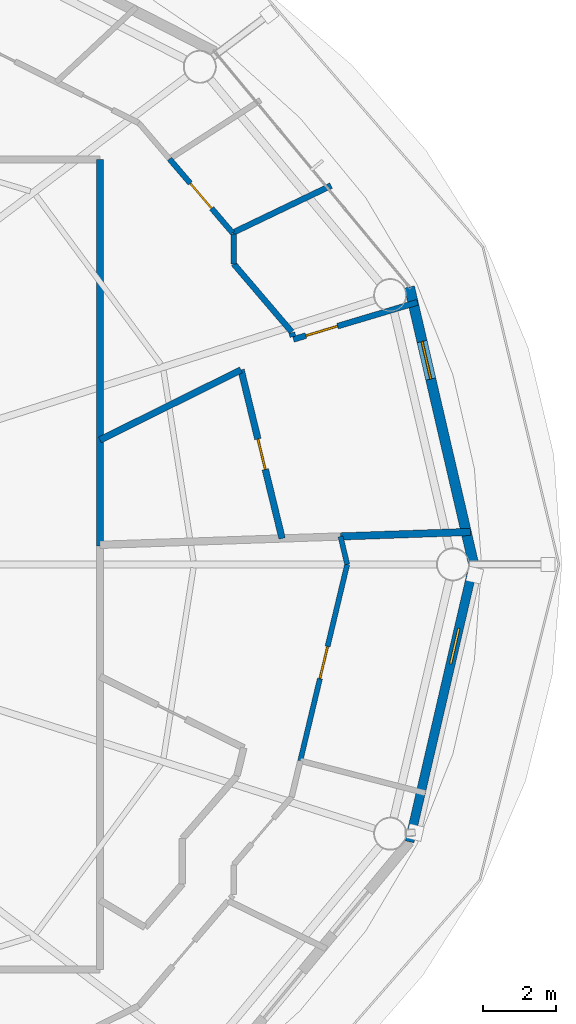
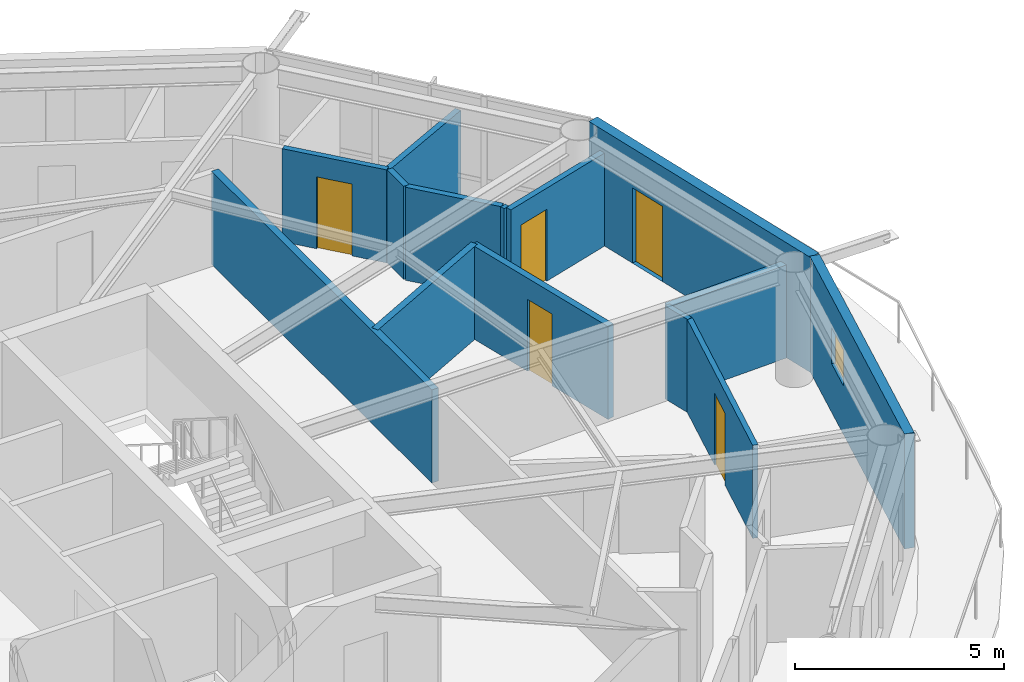
# One storey, part 18 of 23: 14 walls, 5 doors, 1 window, 6 openings.
"""IFC4 building model written with IfcOpenShell, lengths in metres."""

import ifcopenshell
import ifcopenshell.guid

model = None  # the IFC model being written
_history = None  # IfcOwnerHistory: only IFC2X3 demands one
_inside = {}  # id of a spatial element -> (the spatial element, [elements in it])
_under = {}  # id of a project, library or spatial element -> (it, [spatial elements below it])
_declared = {}  # id of a project -> (the project, [libraries it declares])
_typed = {}  # id of a type object -> (the type object, [elements of that type])
_made_of = {}  # id of a material, layer set ... -> (it, [elements and type objects made of it])


def new_model(schema):
    """Start an empty IFC model of exactly this schema.

    Asked for "IFC4X3", IfcOpenShell would pick the latest addendum, in which some entities
    have other attributes; the version numbers below select the first issue.
    IFC2X3 requires an IfcOwnerHistory on every rooted entity: one is made here for all.
    """
    global model, _history
    if schema == "IFC4X3":
        model = ifcopenshell.file(schema_version=(4, 3, 0, 0))
    else:
        model = ifcopenshell.file(schema=schema)
    _inside.clear()
    _under.clear()
    _declared.clear()
    _typed.clear()
    _made_of.clear()
    _history = None
    if model.schema == "IFC2X3":
        org = make("IfcOrganization", Name="unknown")
        user = make(
            "IfcPersonAndOrganization",
            ThePerson=make("IfcPerson", FamilyName="unknown"),
            TheOrganization=org,
        )
        app = make(
            "IfcApplication",
            ApplicationDeveloper=org,
            Version="unknown",
            ApplicationFullName="unknown",
            ApplicationIdentifier="unknown",
        )
        _history = make(
            "IfcOwnerHistory",
            OwningUser=user,
            OwningApplication=app,
            ChangeAction="ADDED",
            CreationDate=0,
        )
    return model


def make(cls, **values):
    """One entity of the class cls with the attributes given. An attribute that is None is left unset."""
    return model.create_entity(
        cls, **{name: value for name, value in values.items() if value is not None}
    )


def rooted(cls, **values):
    """An entity with a GlobalId (a new one), such as an element, a storey or a relation."""
    return make(cls, GlobalId=ifcopenshell.guid.new(), OwnerHistory=_history, **values)


def si_unit(unit_type, name, prefix=None):
    """IfcSIUnit, for example si_unit("LENGTHUNIT", "METRE", prefix="MILLI")."""
    return make("IfcSIUnit", UnitType=unit_type, Prefix=prefix, Name=name)


def assignment(units):
    """IfcUnitAssignment: the units of a project."""
    return None if units is None else make("IfcUnitAssignment", Units=units)


def point(xyz):
    """IfcCartesianPoint."""
    return None if xyz is None else make("IfcCartesianPoint", Coordinates=xyz)


def direction(xyz):
    """IfcDirection."""
    return None if xyz is None else make("IfcDirection", DirectionRatios=xyz)


def frame(location, z_axis=None, x_axis=None):
    """IfcAxis2Placement3D, a coordinate frame: its origin and axes. An axis left out is left unset."""
    return make(
        "IfcAxis2Placement3D",
        Location=point(location),
        Axis=direction(z_axis),
        RefDirection=direction(x_axis),
    )


def frame_2d(location, x_axis=None):
    """IfcAxis2Placement2D, a coordinate frame in the plane: its origin and x axis."""
    return make(
        "IfcAxis2Placement2D", Location=point(location), RefDirection=direction(x_axis)
    )


def origin():
    """The frame at (0, 0, 0) with its axes left unset."""
    return frame((0.0, 0.0, 0.0))


def place(relative_to, where):
    """IfcLocalPlacement: puts the frame where relative to a parent placement (None: the world)."""
    return make(
        "IfcLocalPlacement", PlacementRelTo=relative_to, RelativePlacement=where
    )


def context(
    kind, dimensions, precision=None, world=None, true_north=None, identifier=None
):
    """IfcGeometricRepresentationContext, for example the 3D "Model" context."""
    return make(
        "IfcGeometricRepresentationContext",
        ContextIdentifier=identifier,
        ContextType=kind,
        CoordinateSpaceDimension=dimensions,
        Precision=precision,
        WorldCoordinateSystem=world,
        TrueNorth=true_north,
    )


def subcontext(parent, identifier, kind, view, scale=None):
    """IfcGeometricRepresentationSubContext, for example "Body" below "Model"."""
    return make(
        "IfcGeometricRepresentationSubContext",
        ContextIdentifier=identifier,
        ContextType=kind,
        ParentContext=parent,
        TargetScale=scale,
        TargetView=view,
    )


def project(units=None, contexts=None):
    """IfcProject with its units and contexts."""
    return rooted(
        "IfcProject",
        Name="project",
        RepresentationContexts=contexts,
        UnitsInContext=assignment(units),
    )


def spatial(cls, under=None, at=None, **own):
    """A site, building, storey or space (cls), placed at a placement, below another one or the project."""
    s = rooted(cls, ObjectPlacement=at, **own)
    if under is not None:
        _under.setdefault(under.id(), (under, []))[1].append(s)
    return s


def profile(cls, at=None, kind="AREA", **sizes):
    """A parametric profile (cls). Its sizes go by their IFC names, for example OverallWidth=200.0."""
    return make(cls, ProfileType=kind, Position=at, **sizes)


def rectangle(**sizes):
    """IfcRectangleProfileDef."""
    return profile("IfcRectangleProfileDef", **sizes)


def extrude(swept, where, along, depth):
    """IfcExtrudedAreaSolid: the profile swept, set in the frame where, extruded along a direction by depth."""
    return make(
        "IfcExtrudedAreaSolid",
        SweptArea=swept,
        Position=where,
        ExtrudedDirection=direction(along),
        Depth=depth,
    )


def shape(context_of_items, identifier, shape_type, items):
    """IfcShapeRepresentation: the items that make up one representation, for example the "Body"."""
    return make(
        "IfcShapeRepresentation",
        ContextOfItems=context_of_items,
        RepresentationIdentifier=identifier,
        RepresentationType=shape_type,
        Items=items,
    )


def material(Name=None, Category=None):
    """IfcMaterial."""
    return make("IfcMaterial", Name=Name, Category=Category)


def layer(
    of_material, thickness, ventilated=None, Name=None, Category=None, Priority=None
):
    """IfcMaterialLayer: one layer of a wall or slab, of a material (None: an air gap)."""
    return make(
        "IfcMaterialLayer",
        Material=of_material,
        LayerThickness=thickness,
        IsVentilated=ventilated,
        Name=Name,
        Category=Category,
        Priority=Priority,
    )


def layer_set(layers, Name=None):
    """IfcMaterialLayerSet."""
    return make("IfcMaterialLayerSet", MaterialLayers=layers, LayerSetName=Name)


def made_of(thing, what):
    """Note that an element or type object is made of a material, layer set ...; save() writes the relation."""
    if what is not None:
        _made_of.setdefault(what.id(), (what, []))[1].append(thing)
    return thing


def type_object(cls, material=None, **own):
    """A type object (cls), such as IfcWallType, which elements share."""
    return made_of(rooted(cls, **own), material)


def element(
    cls,
    number,
    at=None,
    inside=None,
    cuts=None,
    type_object=None,
    material=None,
    context=None,
    identifier="Body",
    shape_type=None,
    held_by="IfcProductDefinitionShape",
    body=None,
    shapes=None,
    **own,
):
    """One element of the class cls, such as IfcWall. Its Tag is "e" and its number.

    at: its placement. inside: the storey or other place that contains it. cuts: it is an
    opening in that element (IfcRelVoidsElement). A single representation is given by context,
    identifier, shape_type and body (its items); several are given by shapes. held_by: the class
    of the entity that holds the representations. save() writes the other relations.
    """
    e = rooted(cls, Tag="e%d" % number, ObjectPlacement=at, **own)
    if body is not None:
        shapes = [shape(context, identifier, shape_type, body)]
    if shapes is not None:
        e.Representation = make(held_by, Representations=shapes)
    if inside is not None:
        _inside.setdefault(inside.id(), (inside, []))[1].append(e)
    if cuts is not None:
        rooted(
            "IfcRelVoidsElement", RelatingBuildingElement=cuts, RelatedOpeningElement=e
        )
    if type_object is not None:
        _typed.setdefault(type_object.id(), (type_object, []))[1].append(e)
    return made_of(e, material)


def fill(opening, filler):
    """IfcRelFillsElement: the door or window that sits in an opening."""
    return rooted(
        "IfcRelFillsElement",
        RelatingOpeningElement=opening,
        RelatedBuildingElement=filler,
    )


def aggregate(whole, parts):
    """IfcRelAggregates: a whole, such as a stair, and the parts it consists of."""
    return rooted("IfcRelAggregates", RelatingObject=whole, RelatedObjects=parts)


def save(model, path):
    """Write the relations noted so far, then the file.

    IfcRelAggregates (storeys below a building ...), IfcRelContainedInSpatialStructure (elements
    in a storey), IfcRelDefinesByType, IfcRelAssociatesMaterial and IfcRelDeclares: one each for
    every whole, place, type object, material and project.
    """
    for whole, parts in _under.values():
        aggregate(whole, parts)
    for where, things in _inside.values():
        rooted(
            "IfcRelContainedInSpatialStructure",
            RelatedElements=things,
            RelatingStructure=where,
        )
    for kind, things in _typed.values():
        rooted("IfcRelDefinesByType", RelatedObjects=things, RelatingType=kind)
    for what, things in _made_of.values():
        rooted("IfcRelAssociatesMaterial", RelatedObjects=things, RelatingMaterial=what)
    for by, libraries in _declared.values():
        rooted("IfcRelDeclares", RelatingContext=by, RelatedDefinitions=libraries)
    model.write(path)


model = new_model("IFC4")

# Units and contexts
model_context = context("Model", 3, precision=1e-05, world=origin(), true_north=direction((0.0, 1.0)))
body_context = subcontext(model_context, "Body", "Model", "MODEL_VIEW")
ifc_project = project(units=[si_unit("LENGTHUNIT", "METRE"), si_unit("AREAUNIT", "SQUARE_METRE"), si_unit("VOLUMEUNIT", "CUBIC_METRE"), si_unit("PLANEANGLEUNIT", "RADIAN"), si_unit("MASSUNIT", "GRAM", prefix="KILO")], contexts=[model_context])

# Site, building, storey
site_placement = place(None, origin())
site = spatial("IfcSite", under=ifc_project, at=site_placement, CompositionType="ELEMENT")
building_placement = place(site_placement, origin())
building = spatial("IfcBuilding", under=site, at=building_placement, Name="Sarneth Arch Tower", CompositionType="ELEMENT")
storey_placement = place(building_placement, frame((0.0, 0.0, 231.60009765625)))
storey = spatial("IfcBuildingStorey", under=building, at=storey_placement, Name="L59", CompositionType="ELEMENT", Elevation=231.60009765625)

# Wall
ifc_material_1 = material(Name="Double steel-stud corridor fire wall", Category="steel")
ifc_layer_1 = layer(ifc_material_1, 0.18994140625)
ifc_layer_set_1 = layer_set([ifc_layer_1], Name="Double steel-stud corridor fire wall")
wall_type_1 = type_object("IfcWallType", Name="WALL-CORR-190", PredefinedType="PARTITIONING", material=ifc_layer_set_1)
wall_1_placement = place(storey_placement, frame((63.25, 53.050048828125, 0.0), z_axis=(0.0, 0.0, 1.0), x_axis=(0.0, -1.0, 0.0)))
element("IfcWall", 1, at=wall_1_placement, inside=storey, type_object=wall_type_1, Name="L59 Interior partition W-L59-TP-002", PredefinedType="PARTITIONING", context=body_context, shape_type="SweptSolid", body=[
    extrude(rectangle(XDim=10.549560546875, YDim=0.18994140625, at=frame_2d((5.27490234375, 0.0))), origin(), (0.0, 0.0, 1.0), 2.719970703125),
])

# Wall, opening, window
ifc_material_2 = material(Name="Extruded terracotta rainscreen on Concrete C40/50 backing", Category="masonry")
ifc_layer_2 = layer(ifc_material_2, 0.25)
ifc_layer_set_2 = layer_set([ifc_layer_2], Name="Extruded terracotta rainscreen on Concrete C40/50 backing")
wall_type_2 = type_object("IfcWallType", Name="WALL-EXT-SPAND-250", PredefinedType="SOLIDWALL", material=ifc_layer_set_2)
wall_2_placement = place(storey_placement, frame((71.69384765625, 34.430419921875, 0.0), z_axis=(0.0, 0.0, 1.0), x_axis=(0.225635078214, 0.974211892495, 0.0)))
wall_2 = element("IfcWall", 2, at=wall_2_placement, inside=storey, type_object=wall_type_2, Name="L59 Terracotta perimeter wall 16", PredefinedType="SOLIDWALL", context=body_context, shape_type="SweptSolid", body=[
    extrude(rectangle(XDim=7.77001953125, YDim=0.25, at=frame_2d((3.885009765625, 0.0))), origin(), (0.0, 0.0, 1.0), 3.35986328125),
])
opening_1_placement = place(wall_2_placement, frame((4.977294921875, 0.0, 1.419921875)))
opening_1 = element("IfcOpeningElement", 3, at=opening_1_placement, cuts=wall_2, Name="Opening W-14", PredefinedType="OPENING", context=body_context, shape_type="SweptSolid", body=[
    extrude(rectangle(XDim=1.0, YDim=1.050048828125, at=frame_2d((0.5, 0.52490234375))), frame((0.0, 0.135009765625, 0.0), z_axis=(0.0, -1.0, 0.0), x_axis=(1.0, 0.0, 0.0)), (0.0, 0.0, 1.0), 0.27001953125),
])
ifc_material_3 = material(Name="Thermally broken Aluminium 6063-T6 and low-e laminated IGU", Category="aluminium")
window_type = type_object("IfcWindowType", Name="WIN-TWR-1000x1050", PartitioningType="SINGLE_PANEL", PredefinedType="WINDOW", material=ifc_material_3)
window_placement = place(opening_1_placement, origin())
window = element("IfcWindow", 4, at=window_placement, inside=storey, type_object=window_type, Name="L59 Dwelling bedroom window 06", OverallHeight=1.050048828125, OverallWidth=1.0, PartitioningType="SINGLE_PANEL", PredefinedType="WINDOW", context=body_context, shape_type="SweptSolid", body=[
    extrude(rectangle(XDim=1.0, YDim=1.050048828125, at=frame_2d((0.5, 0.52490234375))), frame((0.0, 0.030029296875, 0.0), z_axis=(0.0, -1.0, 0.0), x_axis=(1.0, 0.0, 0.0)), (0.0, 0.0, 1.0), 0.06005859375),
])
fill(opening_1, window)

# Wall, opening, door
ifc_material_4 = material(Name="Extruded terracotta rainscreen on Concrete C40/50 backing", Category="masonry")
ifc_layer_3 = layer(ifc_material_4, 0.280029296875)
ifc_layer_set_3 = layer_set([ifc_layer_3], Name="Extruded terracotta rainscreen on Concrete C40/50 backing")
wall_type_3 = type_object("IfcWallType", Name="WALL-EXT-TERRA-280", PredefinedType="SOLIDWALL", material=ifc_layer_set_3)
wall_3_placement = place(storey_placement, frame((73.447021484375, 42.0, 0.0), z_axis=(0.0, 0.0, 1.0), x_axis=(-0.225635078214, 0.974211892495, 0.0)))
wall_3 = element("IfcWall", 5, at=wall_3_placement, inside=storey, type_object=wall_type_3, Name="L59 Terracotta perimeter wall 01", PredefinedType="SOLIDWALL", context=body_context, shape_type="SweptSolid", body=[
    extrude(rectangle(XDim=7.77001953125, YDim=0.280029296875, at=frame_2d((3.885009765625, 0.0))), origin(), (0.0, 0.0, 1.0), 3.35986328125),
])
opening_2_placement = place(wall_3_placement, frame((5.192138671875, 0.0, 0.0)))
opening_2 = element("IfcOpeningElement", 6, at=opening_2_placement, cuts=wall_3, Name="Opening BD-4", PredefinedType="OPENING", context=body_context, shape_type="SweptSolid", body=[
    extrude(rectangle(XDim=1.050048828125, YDim=2.199951171875, at=frame_2d((0.52490234375, 1.10009765625))), frame((0.0, 0.14990234375, 0.0), z_axis=(0.0, -1.0, 0.0), x_axis=(1.0, 0.0, 0.0)), (0.0, 0.0, 1.0), 0.300048828125),
])
ifc_material_5 = material(Name="Thermally broken Aluminium 6063-T6 and laminated safety glass", Category="aluminium")
door_type_1 = type_object("IfcDoorType", Name="DR-BALC-GLZ-1050", OperationType="SINGLE_SWING_RIGHT", PredefinedType="DOOR", material=ifc_material_5)
door_1_placement = place(opening_2_placement, origin())
door_1 = element("IfcDoor", 7, at=door_1_placement, inside=storey, type_object=door_type_1, Name="L59 Balcony glazed door 01", OperationType="SINGLE_SWING_RIGHT", OverallHeight=2.199951171875, OverallWidth=1.050048828125, PredefinedType="DOOR", context=body_context, shape_type="SweptSolid", body=[
    extrude(rectangle(XDim=1.050048828125, YDim=2.199951171875, at=frame_2d((0.52490234375, 1.10009765625))), frame((0.0, 0.02490234375, 0.0), z_axis=(0.0, -1.0, 0.0), x_axis=(1.0, 0.0, 0.0)), (0.0, 0.0, 1.0), 0.050048828125),
])
fill(opening_2, door_1)

ifc_material_6 = material(Name="Apartment internal stud partition", Category="gypsum")
ifc_layer_4 = layer(ifc_material_6, 0.139892578125)
ifc_layer_set_4 = layer_set([ifc_layer_4], Name="Apartment internal stud partition")
wall_type_4 = type_object("IfcWallType", Name="WALL-PART-140", PredefinedType="PARTITIONING", material=ifc_layer_set_4)
wall_4_placement = place(storey_placement, frame((68.716796875, 36.642333984375, 0.0), z_axis=(0.0, 0.0, 1.0), x_axis=(0.23229157949, 0.972646195745, 0.0)))
wall_4 = element("IfcWall", 8, at=wall_4_placement, inside=storey, type_object=wall_type_4, Name="L59 Interior partition W-L59-TP-107", PredefinedType="PARTITIONING", context=body_context, shape_type="SweptSolid", body=[
    extrude(rectangle(XDim=5.50830078125, YDim=0.139892578125, at=frame_2d((2.754150390625, 0.0))), origin(), (0.0, 0.0, 1.0), 2.719970703125),
])
opening_3_placement = place(wall_4_placement, frame((2.30419921875, 0.0, 0.0)))
opening_3 = element("IfcOpeningElement", 9, at=opening_3_placement, cuts=wall_4, Name="Opening ID-01", PredefinedType="OPENING", context=body_context, shape_type="SweptSolid", body=[
    extrude(rectangle(XDim=0.89990234375, YDim=2.10009765625, at=frame_2d((0.449951171875, 1.050048828125))), frame((0.0, 0.079833984375, 0.0), z_axis=(0.0, -1.0, 0.0), x_axis=(1.0, 0.0, 0.0)), (0.0, 0.0, 1.0), 0.159912109375),
])
ifc_material_7 = material(Name="Engineered hardwood flush door", Category="wood")
door_type_2 = type_object("IfcDoorType", Name="DR-INT-900", OperationType="SINGLE_SWING_LEFT", PredefinedType="DOOR", material=ifc_material_7)
door_2_placement = place(opening_3_placement, origin())
door_2 = element("IfcDoor", 10, at=door_2_placement, inside=storey, type_object=door_type_2, Name="L59 Interior door DR-L59-U6-BED2", OperationType="SINGLE_SWING_LEFT", OverallHeight=2.10009765625, OverallWidth=0.89990234375, PredefinedType="DOOR", context=body_context, shape_type="SweptSolid", body=[
    extrude(rectangle(XDim=0.89990234375, YDim=2.10009765625, at=frame_2d((0.449951171875, 1.050048828125))), frame((0.0, 0.02490234375, 0.0), z_axis=(0.0, -1.0, 0.0), x_axis=(1.0, 0.0, 0.0)), (0.0, 0.0, 1.0), 0.050048828125),
])
fill(opening_3, door_2)

# Wall
wall_5_placement = place(storey_placement, frame((69.996337890625, 42.0, 0.0), z_axis=(0.0, 0.0, 1.0), x_axis=(-0.232252672351, 0.972655486894, 0.0)))
element("IfcWall", 11, at=wall_5_placement, inside=storey, type_object=wall_type_4, Name="L59 Interior partition W-L59-TP-108", PredefinedType="PARTITIONING", context=body_context, shape_type="SweptSolid", body=[
    extrude(rectangle(XDim=0.783203125, YDim=0.139892578125, at=frame_2d((0.3916015625, 0.0))), origin(), (0.0, 0.0, 1.0), 2.719970703125),
])

# Wall, opening, door
ifc_material_8 = material(Name="Acoustic gypsum stud partition", Category="gypsum")
ifc_layer_5 = layer(ifc_material_8, 0.14990234375)
ifc_layer_set_5 = layer_set([ifc_layer_5], Name="Acoustic gypsum stud partition")
wall_type_5 = type_object("IfcWallType", Name="WALL-PART-150", PredefinedType="PARTITIONING", material=ifc_layer_set_5)
wall_6_placement = place(storey_placement, frame((66.867919921875, 51.044677734375, 0.0), z_axis=(0.0, 0.0, 1.0), x_axis=(-0.648999908332, 0.760788485051, 0.0)))
wall_6 = element("IfcWall", 12, at=wall_6_placement, inside=storey, type_object=wall_type_5, Name="L59 Interior partition W-L59-TP-021", PredefinedType="PARTITIONING", context=body_context, shape_type="SweptSolid", body=[
    extrude(rectangle(XDim=2.6513671875, YDim=0.14990234375, at=frame_2d((1.32568359375, 0.0))), origin(), (0.0, 0.0, 1.0), 2.719970703125),
])
opening_4_placement = place(wall_6_placement, frame((0.87548828125, 0.0, 0.0)))
opening_4 = element("IfcOpeningElement", 13, at=opening_4_placement, cuts=wall_6, Name="Opening ID-01", PredefinedType="OPENING", context=body_context, shape_type="SweptSolid", body=[
    extrude(rectangle(XDim=0.89990234375, YDim=2.10009765625, at=frame_2d((0.449951171875, 1.050048828125))), frame((0.0, 0.0849609375, 0.0), z_axis=(0.0, -1.0, 0.0), x_axis=(1.0, 0.0, 0.0)), (0.0, 0.0, 1.0), 0.169921875),
])
door_3_placement = place(opening_4_placement, origin())
door_3 = element("IfcDoor", 14, at=door_3_placement, inside=storey, type_object=door_type_2, Name="L59 Interior door DR-L59-U1-STD", OperationType="SINGLE_SWING_LEFT", OverallHeight=2.10009765625, OverallWidth=0.89990234375, PredefinedType="DOOR", context=body_context, shape_type="SweptSolid", body=[
    extrude(rectangle(XDim=0.89990234375, YDim=2.10009765625, at=frame_2d((0.449951171875, 1.050048828125))), frame((0.0, 0.02490234375, 0.0), z_axis=(0.0, -1.0, 0.0), x_axis=(1.0, 0.0, 0.0)), (0.0, 0.0, 1.0), 0.050048828125),
])
fill(opening_4, door_3)

ifc_material_9 = material(Name="Kitchen wet service chase wall", Category="gypsum")
ifc_layer_6 = layer(ifc_material_9, 0.159912109375)
ifc_layer_set_6 = layer_set([ifc_layer_6], Name="Kitchen wet service chase wall")
wall_type_6 = type_object("IfcWallType", Name="WALL-PLUMB-160", PredefinedType="PLUMBINGWALL", material=ifc_layer_set_6)
wall_7_placement = place(storey_placement, frame((71.913818359375, 49.150634765625, 0.0), z_axis=(0.0, 0.0, 1.0), x_axis=(-0.958092232413, -0.286459899792, 0.0)))
wall_7 = element("IfcWall", 15, at=wall_7_placement, inside=storey, type_object=wall_type_6, Name="L59 Interior partition W-L59-TP-022", PredefinedType="PLUMBINGWALL", context=body_context, shape_type="SweptSolid", body=[
    extrude(rectangle(XDim=3.53173828125, YDim=0.159912109375, at=frame_2d((1.765869140625, 0.0))), origin(), (0.0, 0.0, 1.0), 2.719970703125),
])
opening_5_placement = place(wall_7_placement, frame((2.27587890625, 0.0, 0.0)))
opening_5 = element("IfcOpeningElement", 16, at=opening_5_placement, cuts=wall_7, Name="Opening ID-01", PredefinedType="OPENING", context=body_context, shape_type="SweptSolid", body=[
    extrude(rectangle(XDim=0.89990234375, YDim=2.10009765625, at=frame_2d((0.449951171875, 1.050048828125))), frame((0.0, 0.08984375, 0.0), z_axis=(0.0, -1.0, 0.0), x_axis=(1.0, 0.0, 0.0)), (0.0, 0.0, 1.0), 0.179931640625),
])
door_4_placement = place(opening_5_placement, origin())
door_4 = element("IfcDoor", 17, at=door_4_placement, inside=storey, type_object=door_type_2, Name="L59 Interior door DR-L59-U1-KIT", OperationType="SINGLE_SWING_RIGHT", OverallHeight=2.10009765625, OverallWidth=0.89990234375, PredefinedType="DOOR", context=body_context, shape_type="SweptSolid", body=[
    extrude(rectangle(XDim=0.89990234375, YDim=2.10009765625, at=frame_2d((0.449951171875, 1.050048828125))), frame((0.0, 0.02490234375, 0.0), z_axis=(0.0, -1.0, 0.0), x_axis=(1.0, 0.0, 0.0)), (0.0, 0.0, 1.0), 0.050048828125),
])
fill(opening_5, door_4)

# Walls
wall_8_placement = place(storey_placement, frame((66.867919921875, 51.044677734375, 0.0), z_axis=(0.0, 0.0, 1.0), x_axis=(0.901737580953, 0.4322838594, 0.0)))
element("IfcWall", 18, at=wall_8_placement, inside=storey, type_object=wall_type_6, Name="L59 Interior partition W-L59-TP-035", PredefinedType="PLUMBINGWALL", context=body_context, shape_type="SweptSolid", body=[
    extrude(rectangle(XDim=2.98193359375, YDim=0.159912109375, at=frame_2d((1.490966796875, 0.0))), origin(), (0.0, 0.0, 1.0), 2.719970703125),
])
wall_9_placement = place(storey_placement, frame((68.48095703125, 48.344970703125, 0.0), z_axis=(0.0, 0.0, 1.0), x_axis=(-0.649270866973, 0.760557257082, 0.0)))
element("IfcWall", 19, at=wall_9_placement, inside=storey, type_object=wall_type_6, Name="L59 Interior partition W-L59-TP-024", PredefinedType="PLUMBINGWALL", context=body_context, shape_type="SweptSolid", body=[
    extrude(rectangle(XDim=2.43505859375, YDim=0.159912109375, at=frame_2d((1.217529296875, 0.0))), origin(), (0.0, 0.0, 1.0), 2.719970703125),
])
wall_10_placement = place(storey_placement, frame((66.89990234375, 50.197021484375, 0.0), z_axis=(0.0, 0.0, 1.0), x_axis=(0.0, 1.0, 0.0)))
element("IfcWall", 20, at=wall_10_placement, inside=storey, type_object=wall_type_6, Name="L59 Interior partition W-L59-TP-025", PredefinedType="PLUMBINGWALL", context=body_context, shape_type="SweptSolid", body=[
    extrude(rectangle(XDim=0.81005859375, YDim=0.159912109375, at=frame_2d((0.405029296875, 0.0))), origin(), (0.0, 0.0, 1.0), 2.719970703125),
])
wall_11_placement = place(storey_placement, frame((68.513427734375, 48.208984375, 0.0), z_axis=(0.0, 0.0, 1.0), x_axis=(-0.232095920474, 0.972692903078, 0.0)))
element("IfcWall", 21, at=wall_11_placement, inside=storey, type_object=wall_type_6, Name="L59 Interior partition W-L59-TP-023", PredefinedType="PLUMBINGWALL", context=body_context, shape_type="SweptSolid", body=[
    extrude(rectangle(XDim=0.11572265625, YDim=0.159912109375, at=frame_2d((0.057861328125, 0.0))), origin(), (0.0, 0.0, 1.0), 2.719970703125),
])

# Wall, opening, door
ifc_material_10 = material(Name="Moisture-resistant plumbing chase wall", Category="gypsum")
ifc_layer_7 = layer(ifc_material_10, 0.179931640625)
ifc_layer_set_7 = layer_set([ifc_layer_7], Name="Moisture-resistant plumbing chase wall")
wall_type_7 = type_object("IfcWallType", Name="WALL-PLUMB-180", PredefinedType="PLUMBINGWALL", material=ifc_layer_set_7)
wall_12_placement = place(storey_placement, frame((67.1005859375, 47.30615234375, 0.0), z_axis=(0.0, 0.0, 1.0), x_axis=(0.236585789581, -0.971610603158, 0.0)))
wall_12 = element("IfcWall", 22, at=wall_12_placement, inside=storey, type_object=wall_type_7, Name="L59 Interior partition W-L59-TP-027", PredefinedType="PLUMBINGWALL", context=body_context, shape_type="SweptSolid", body=[
    extrude(rectangle(XDim=4.734619140625, YDim=0.179931640625, at=frame_2d((2.3671875, 0.0))), origin(), (0.0, 0.0, 1.0), 2.719970703125),
])
opening_6_placement = place(wall_12_placement, frame((1.942138671875, 0.0, 0.0)))
opening_6 = element("IfcOpeningElement", 23, at=opening_6_placement, cuts=wall_12, Name="Opening ID-02", PredefinedType="OPENING", context=body_context, shape_type="SweptSolid", body=[
    extrude(rectangle(XDim=0.85009765625, YDim=2.10009765625, at=frame_2d((0.425048828125, 1.050048828125))), frame((0.0, 0.099853515625, 0.0), z_axis=(0.0, -1.0, 0.0), x_axis=(1.0, 0.0, 0.0)), (0.0, 0.0, 1.0), 0.199951171875),
])
ifc_material_11 = material(Name="Moisture-resistant bathroom timber door", Category="wood")
door_type_3 = type_object("IfcDoorType", Name="DR-INT-850", OperationType="SINGLE_SWING_RIGHT", PredefinedType="DOOR", material=ifc_material_11)
door_5_placement = place(opening_6_placement, origin())
door_5 = element("IfcDoor", 24, at=door_5_placement, inside=storey, type_object=door_type_3, Name="L59 Interior door DR-L59-U1-BATH", OperationType="SINGLE_SWING_RIGHT", OverallHeight=2.10009765625, OverallWidth=0.85009765625, PredefinedType="DOOR", context=body_context, shape_type="SweptSolid", body=[
    extrude(rectangle(XDim=0.85009765625, YDim=2.10009765625, at=frame_2d((0.425048828125, 1.050048828125))), frame((0.0, 0.02490234375, 0.0), z_axis=(0.0, -1.0, 0.0), x_axis=(1.0, 0.0, 0.0)), (0.0, 0.0, 1.0), 0.050048828125),
])
fill(opening_6, door_5)

# Walls
wall_13_placement = place(storey_placement, frame((63.25, 45.394287109375, 0.0), z_axis=(0.0, 0.0, 1.0), x_axis=(0.895673054489, 0.444713142893, 0.0)))
element("IfcWall", 25, at=wall_13_placement, inside=storey, type_object=wall_type_7, Name="L59 Interior partition W-L59-TP-026", PredefinedType="PLUMBINGWALL", context=body_context, shape_type="SweptSolid", body=[
    extrude(rectangle(XDim=4.299072265625, YDim=0.179931640625, at=frame_2d((2.1494140625, 0.0))), origin(), (0.0, 0.0, 1.0), 2.719970703125),
])
ifc_material_12 = material(Name="Double steel-stud acoustic drywall", Category="steel")
ifc_layer_8 = layer(ifc_material_12, 0.199951171875)
ifc_layer_set_8 = layer_set([ifc_layer_8], Name="Double steel-stud acoustic drywall")
wall_type_8 = type_object("IfcWallType", Name="WALL-UNIT-200", PredefinedType="PARTITIONING", material=ifc_layer_set_8)
wall_14_placement = place(storey_placement, frame((69.814453125, 42.76171875, 0.0), z_axis=(0.0, 0.0, 1.0), x_axis=(0.999389719612, 0.034931194273, 0.0)))
element("IfcWall", 26, at=wall_14_placement, inside=storey, type_object=wall_type_8, Name="L59 Interior partition W-L59-TP-034", PredefinedType="PARTITIONING", context=body_context, shape_type="SweptSolid", body=[
    extrude(rectangle(XDim=3.550537109375, YDim=0.199951171875, at=frame_2d((1.775390625, 0.0))), origin(), (0.0, 0.0, 1.0), 2.719970703125),
])

save(model, "model.ifc")
